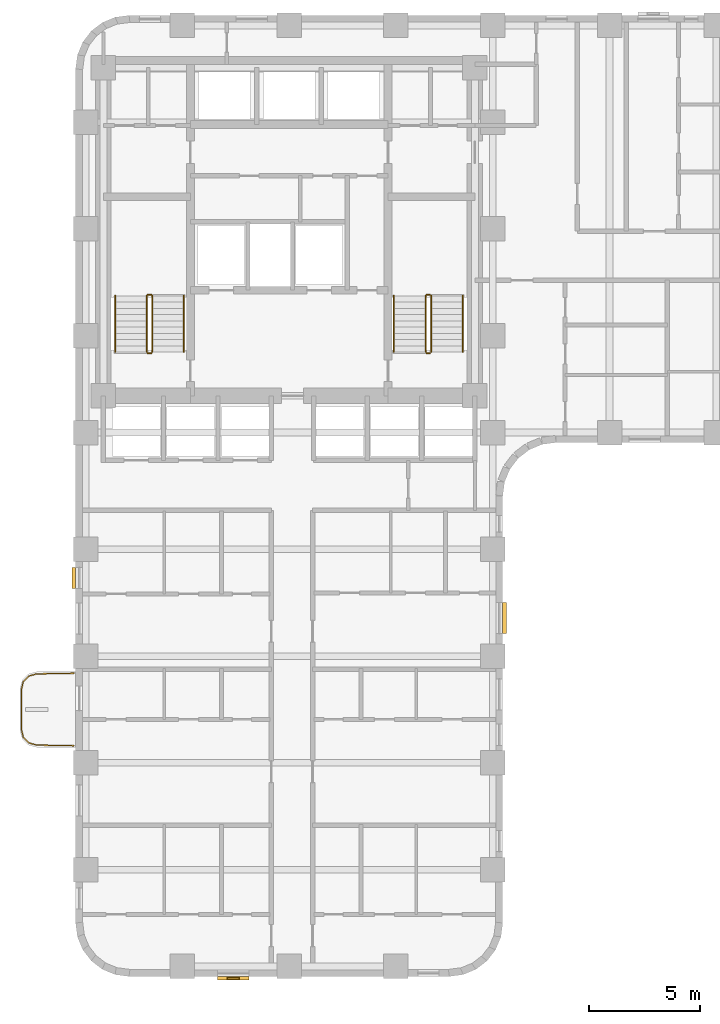
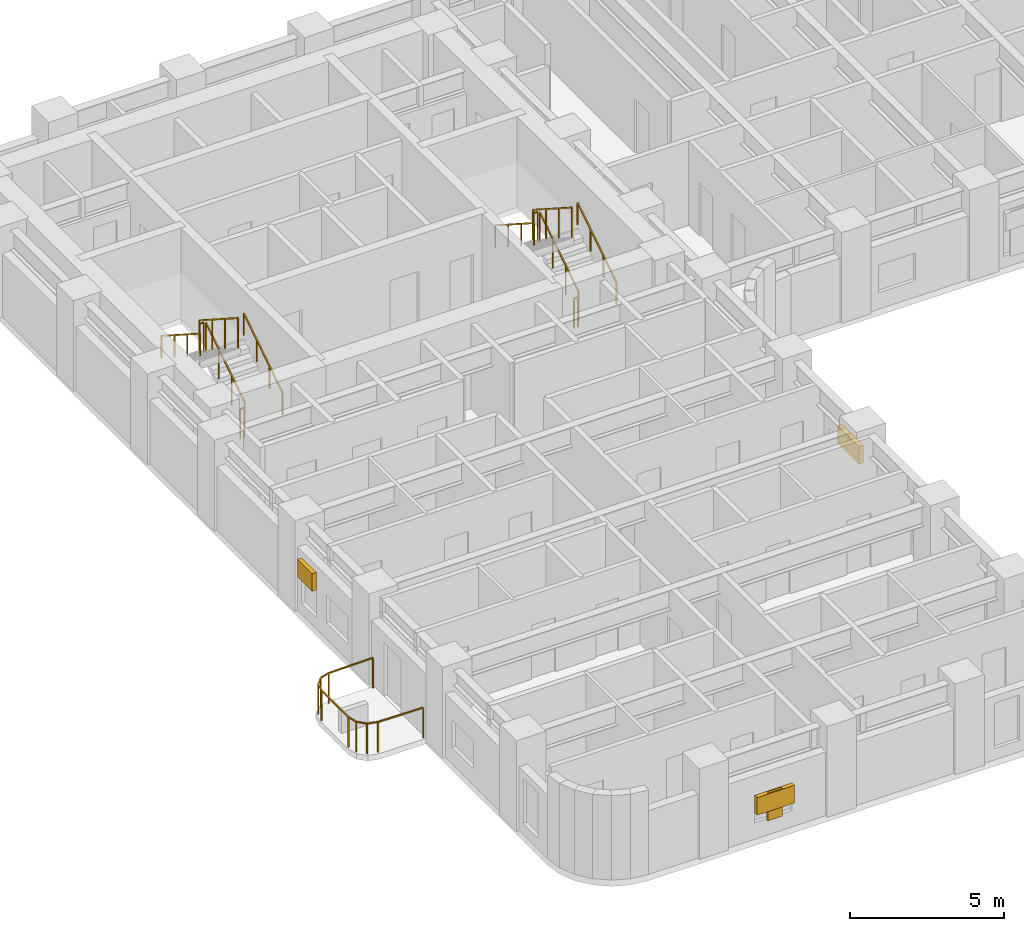
# One storey, part 9 of 10: 13 railings, 4 shading devices.
"""IFC4 building model written with IfcOpenShell, lengths in metres."""

from ifc_helpers import new_model, si_unit, direction, frame, origin, origin_2d, place, context, subcontext, project, spatial, rectangle, extrude, material, type_object, element, save


model = new_model("IFC4")

# Units and contexts
model_context = context("Model", 3, precision=1e-05, world=origin(), true_north=direction((0.0, 1.0)))
body_context = subcontext(model_context, "Body", "Model", "MODEL_VIEW")
ifc_project = project(units=[si_unit("LENGTHUNIT", "METRE"), si_unit("AREAUNIT", "SQUARE_METRE"), si_unit("VOLUMEUNIT", "CUBIC_METRE"), si_unit("PLANEANGLEUNIT", "RADIAN"), si_unit("MASSUNIT", "GRAM", prefix="KILO")], contexts=[model_context])

# Site, building, storey
site_placement = place(None, origin())
site = spatial("IfcSite", under=ifc_project, at=site_placement, CompositionType="ELEMENT")
building_placement = place(site_placement, origin())
building = spatial("IfcBuilding", under=site, at=building_placement, Name="Orvandelia Arch Residences", CompositionType="ELEMENT")
storey_placement = place(building_placement, frame((0.0, 0.0, 28.60009765625)))
storey = spatial("IfcBuildingStorey", under=building, at=storey_placement, Name="L06", CompositionType="ELEMENT", Elevation=28.60009765625)

# Railings
ifc_material_1 = material(Name="Marine-Grade Stainless Steel 316", Category="steel")
railing_type_1 = type_object("IfcRailingType", Name="GRD-BAL-1200", PredefinedType="BALUSTRADE", material=ifc_material_1)
railing_1_placement = place(storey_placement, frame((4.728271484375, 18.430419921875, 0.0)))
element("IfcRailing", 1, at=railing_1_placement, inside=storey, type_object=railing_type_1, Name="Safety Balustrade Guard GRD-L06-BAL-L06-W1-1", PredefinedType="BALUSTRADE", context=body_context, shape_type="SweptSolid", body=[
    extrude(rectangle(XDim=0.048095703125, YDim=0.048095703125, at=origin_2d()), frame((0.0, 0.0, 1.19580078125), z_axis=(-0.999834751713, -0.018178813668, 0.0), x_axis=(0.018178813668, -0.999834751713, 0.0)), (0.0, 0.0, 1.0), 1.6787109375),
    extrude(rectangle(XDim=0.048095703125, YDim=0.048095703125, at=origin_2d()), frame((-1.678466796875, -0.030517578125, 1.19580078125), z_axis=(-0.96348920644, -0.267747173792, 0.0), x_axis=(0.267747173792, -0.96348920644, 0.0)), (0.0, 0.0, 1.0), 0.36572265625),
    extrude(rectangle(XDim=0.048095703125, YDim=0.048095703125, at=origin_2d()), frame((-2.03076171875, -0.12841796875, 1.19580078125), z_axis=(-0.688627404251, -0.725115368831, 0.0), x_axis=(0.725115368831, -0.688627404251, 0.0)), (0.0, 0.0, 1.0), 0.367919921875),
    extrude(rectangle(XDim=0.048095703125, YDim=0.048095703125, at=origin_2d()), frame((-2.2841796875, -0.395263671875, 1.19580078125), z_axis=(-0.220602419982, -0.975363815352, 0.0), x_axis=(0.975363815352, -0.220602419982, 0.0)), (0.0, 0.0, 1.0), 0.373046875),
    extrude(rectangle(XDim=0.048095703125, YDim=0.048095703125, at=origin_2d()), frame((-2.366455078125, -0.759033203125, 1.19580078125), z_axis=(0.0, -1.0, 0.0), x_axis=(1.0, 0.0, 0.0)), (0.0, 0.0, 1.0), 1.74267578125),
    extrude(rectangle(XDim=0.048095703125, YDim=0.048095703125, at=origin_2d()), frame((-2.366455078125, -2.501708984375, 1.19580078125), z_axis=(0.220602419982, -0.975363815352, 0.0), x_axis=(0.975363815352, 0.220602419982, 0.0)), (0.0, 0.0, 1.0), 0.373046875),
    extrude(rectangle(XDim=0.048095703125, YDim=0.048095703125, at=origin_2d()), frame((-2.2841796875, -2.865478515625, 1.19580078125), z_axis=(0.688296224633, -0.725429739642, 0.0), x_axis=(0.725429739642, 0.688296224633, 0.0)), (0.0, 0.0, 1.0), 0.3681640625),
    extrude(rectangle(XDim=0.048095703125, YDim=0.048095703125, at=origin_2d()), frame((-2.03076171875, -3.132568359375, 1.19580078125), z_axis=(0.96348920644, -0.267747173792, 0.0), x_axis=(0.267747173792, 0.96348920644, 0.0)), (0.0, 0.0, 1.0), 0.36572265625),
    extrude(rectangle(XDim=0.048095703125, YDim=0.048095703125, at=origin_2d()), frame((-1.678466796875, -3.23046875, 1.19580078125), z_axis=(0.999837384468, -0.018033430643, 0.0), x_axis=(0.018033430643, 0.999837384468, 0.0)), (0.0, 0.0, 1.0), 1.6787109375),
    extrude(rectangle(XDim=0.0419921875, YDim=0.0419921875, at=origin_2d()), origin(), (0.0, 0.0, 1.0), 1.171875),
    extrude(rectangle(XDim=0.0419921875, YDim=0.0419921875, at=origin_2d()), frame((-1.678466796875, -0.030517578125, 0.0)), (0.0, 0.0, 1.0), 1.171875),
    extrude(rectangle(XDim=0.0419921875, YDim=0.0419921875, at=origin_2d()), frame((-2.03076171875, -0.12841796875, 0.0)), (0.0, 0.0, 1.0), 1.171875),
    extrude(rectangle(XDim=0.0419921875, YDim=0.0419921875, at=origin_2d()), frame((-2.2841796875, -0.395263671875, 0.0)), (0.0, 0.0, 1.0), 1.171875),
    extrude(rectangle(XDim=0.0419921875, YDim=0.0419921875, at=origin_2d()), frame((-2.366455078125, -0.759033203125, 0.0)), (0.0, 0.0, 1.0), 1.171875),
    extrude(rectangle(XDim=0.0419921875, YDim=0.0419921875, at=origin_2d()), frame((-2.366455078125, -2.501708984375, 0.0)), (0.0, 0.0, 1.0), 1.171875),
    extrude(rectangle(XDim=0.0419921875, YDim=0.0419921875, at=origin_2d()), frame((-2.2841796875, -2.865478515625, 0.0)), (0.0, 0.0, 1.0), 1.171875),
    extrude(rectangle(XDim=0.0419921875, YDim=0.0419921875, at=origin_2d()), frame((-2.03076171875, -3.132568359375, 0.0)), (0.0, 0.0, 1.0), 1.171875),
    extrude(rectangle(XDim=0.0419921875, YDim=0.0419921875, at=origin_2d()), frame((-1.678466796875, -3.23046875, 0.0)), (0.0, 0.0, 1.0), 1.171875),
    extrude(rectangle(XDim=0.0419921875, YDim=0.0419921875, at=origin_2d()), frame((0.0, -3.2607421875, 0.0)), (0.0, 0.0, 1.0), 1.171875),
])
ifc_material_2 = material(Name="Brushed Stainless Steel 304", Category="steel")
railing_type_2 = type_object("IfcRailingType", Name="RL-STAIR-GD1120", PredefinedType="GUARDRAIL", material=ifc_material_2)
railing_2_placement = place(storey_placement, frame((8.25, 32.8701171875, 0.179931640625)))
element("IfcRailing", 2, at=railing_2_placement, inside=storey, type_object=railing_type_2, Name="L06 ST-1 stair guard 1", PredefinedType="GUARDRAIL", context=body_context, shape_type="SweptSolid", body=[
    extrude(rectangle(XDim=0.048095703125, YDim=0.048095703125, at=origin_2d()), frame((0.0, 0.0, 1.17578125), z_axis=(0.0, 0.841175827307, 0.540761710511), x_axis=(-1.0, 0.0, 0.0)), (0.0, 0.0, 1.0), 2.99560546875),
    extrude(rectangle(XDim=0.0419921875, YDim=0.0419921875, at=origin_2d()), origin(), (0.0, 0.0, 1.0), 1.15185546875),
    extrude(rectangle(XDim=0.0419921875, YDim=0.0419921875, at=origin_2d()), frame((0.0, 0.83984375, 0.5400390625)), (0.0, 0.0, 1.0), 1.15185546875),
    extrude(rectangle(XDim=0.0419921875, YDim=0.0419921875, at=origin_2d()), frame((0.0, 1.679931640625, 1.079833984375)), (0.0, 0.0, 1.0), 1.15185546875),
    extrude(rectangle(XDim=0.0419921875, YDim=0.0419921875, at=origin_2d()), frame((0.0, 2.519775390625, 1.619873046875)), (0.0, 0.0, 1.0), 1.15185546875),
])
railing_3_placement = place(storey_placement, frame((8.199951171875, 35.43994140625, 1.7998046875)))
element("IfcRailing", 3, at=railing_3_placement, inside=storey, type_object=railing_type_2, Name="L06 ST-1 stair guard 2", PredefinedType="GUARDRAIL", context=body_context, shape_type="SweptSolid", body=[
    extrude(rectangle(XDim=0.048095703125, YDim=0.048095703125, at=origin_2d()), frame((0.0, 0.0, 1.17578125), z_axis=(-1.0, 0.0, 0.0), x_axis=(0.0, -1.0, 0.0)), (0.0, 0.0, 1.0), 0.14990234375),
    extrude(rectangle(XDim=0.0419921875, YDim=0.0419921875, at=origin_2d()), origin(), (0.0, 0.0, 1.0), 1.15185546875),
    extrude(rectangle(XDim=0.0419921875, YDim=0.0419921875, at=origin_2d()), frame((-0.14990234375, 0.0, 0.0)), (0.0, 0.0, 1.0), 1.15185546875),
])
railing_4_placement = place(storey_placement, frame((8.0, 35.389892578125, 1.97998046875)))
element("IfcRailing", 4, at=railing_4_placement, inside=storey, type_object=railing_type_2, Name="L06 ST-1 stair guard 3", PredefinedType="GUARDRAIL", context=body_context, shape_type="SweptSolid", body=[
    extrude(rectangle(XDim=0.048095703125, YDim=0.048095703125, at=origin_2d()), frame((0.0, 0.0, 1.17578125), z_axis=(0.0, -0.841175827307, 0.540761710511), x_axis=(1.0, 0.0, 0.0)), (0.0, 0.0, 1.0), 2.99560546875),
    extrude(rectangle(XDim=0.0419921875, YDim=0.0419921875, at=origin_2d()), origin(), (0.0, 0.0, 1.0), 1.15185546875),
    extrude(rectangle(XDim=0.0419921875, YDim=0.0419921875, at=origin_2d()), frame((0.0, -0.83984375, 0.5400390625)), (0.0, 0.0, 1.0), 1.15185546875),
    extrude(rectangle(XDim=0.0419921875, YDim=0.0419921875, at=origin_2d()), frame((0.0, -1.679931640625, 1.079833984375)), (0.0, 0.0, 1.0), 1.15185546875),
    extrude(rectangle(XDim=0.0419921875, YDim=0.0419921875, at=origin_2d()), frame((0.0, -2.519775390625, 1.619873046875)), (0.0, 0.0, 1.0), 1.15185546875),
])
railing_5_placement = place(storey_placement, frame((8.199951171875, 32.820068359375, 0.0)))
element("IfcRailing", 5, at=railing_5_placement, inside=storey, type_object=railing_type_2, Name="L06 ST-1 stair guard 4", PredefinedType="GUARDRAIL", context=body_context, shape_type="SweptSolid", body=[
    extrude(rectangle(XDim=0.048095703125, YDim=0.048095703125, at=origin_2d()), frame((0.0, 0.0, 1.17578125), z_axis=(-1.0, 0.0, 0.0), x_axis=(0.0, -1.0, 0.0)), (0.0, 0.0, 1.0), 0.14990234375),
    extrude(rectangle(XDim=0.0419921875, YDim=0.0419921875, at=origin_2d()), origin(), (0.0, 0.0, 1.0), 1.15185546875),
    extrude(rectangle(XDim=0.0419921875, YDim=0.0419921875, at=origin_2d()), frame((-0.14990234375, 0.0, 0.0)), (0.0, 0.0, 1.0), 1.15185546875),
])
railing_6_placement = place(storey_placement, frame((20.780029296875, 32.8701171875, 0.179931640625)))
element("IfcRailing", 6, at=railing_6_placement, inside=storey, type_object=railing_type_2, Name="L06 ST-2 stair guard 1", PredefinedType="GUARDRAIL", context=body_context, shape_type="SweptSolid", body=[
    extrude(rectangle(XDim=0.048095703125, YDim=0.048095703125, at=origin_2d()), frame((0.0, 0.0, 1.17578125), z_axis=(0.0, 0.841175827307, 0.540761710511), x_axis=(-1.0, 0.0, 0.0)), (0.0, 0.0, 1.0), 2.99560546875),
    extrude(rectangle(XDim=0.0419921875, YDim=0.0419921875, at=origin_2d()), origin(), (0.0, 0.0, 1.0), 1.15185546875),
    extrude(rectangle(XDim=0.0419921875, YDim=0.0419921875, at=origin_2d()), frame((0.0, 0.83984375, 0.5400390625)), (0.0, 0.0, 1.0), 1.15185546875),
    extrude(rectangle(XDim=0.0419921875, YDim=0.0419921875, at=origin_2d()), frame((0.0, 1.679931640625, 1.079833984375)), (0.0, 0.0, 1.0), 1.15185546875),
    extrude(rectangle(XDim=0.0419921875, YDim=0.0419921875, at=origin_2d()), frame((0.0, 2.519775390625, 1.619873046875)), (0.0, 0.0, 1.0), 1.15185546875),
])
railing_7_placement = place(storey_placement, frame((20.72998046875, 35.43994140625, 1.7998046875)))
element("IfcRailing", 7, at=railing_7_placement, inside=storey, type_object=railing_type_2, Name="L06 ST-2 stair guard 2", PredefinedType="GUARDRAIL", context=body_context, shape_type="SweptSolid", body=[
    extrude(rectangle(XDim=0.048095703125, YDim=0.048095703125, at=origin_2d()), frame((0.0, 0.0, 1.17578125), z_axis=(-1.0, 0.0, 0.0), x_axis=(0.0, -1.0, 0.0)), (0.0, 0.0, 1.0), 0.14990234375),
    extrude(rectangle(XDim=0.0419921875, YDim=0.0419921875, at=origin_2d()), origin(), (0.0, 0.0, 1.0), 1.15185546875),
    extrude(rectangle(XDim=0.0419921875, YDim=0.0419921875, at=origin_2d()), frame((-0.14990234375, 0.0, 0.0)), (0.0, 0.0, 1.0), 1.15185546875),
])
railing_8_placement = place(storey_placement, frame((20.530029296875, 35.389892578125, 1.97998046875)))
element("IfcRailing", 8, at=railing_8_placement, inside=storey, type_object=railing_type_2, Name="L06 ST-2 stair guard 3", PredefinedType="GUARDRAIL", context=body_context, shape_type="SweptSolid", body=[
    extrude(rectangle(XDim=0.048095703125, YDim=0.048095703125, at=origin_2d()), frame((0.0, 0.0, 1.17578125), z_axis=(0.0, -0.841175827307, 0.540761710511), x_axis=(1.0, 0.0, 0.0)), (0.0, 0.0, 1.0), 2.99560546875),
    extrude(rectangle(XDim=0.0419921875, YDim=0.0419921875, at=origin_2d()), origin(), (0.0, 0.0, 1.0), 1.15185546875),
    extrude(rectangle(XDim=0.0419921875, YDim=0.0419921875, at=origin_2d()), frame((0.0, -0.83984375, 0.5400390625)), (0.0, 0.0, 1.0), 1.15185546875),
    extrude(rectangle(XDim=0.0419921875, YDim=0.0419921875, at=origin_2d()), frame((0.0, -1.679931640625, 1.079833984375)), (0.0, 0.0, 1.0), 1.15185546875),
    extrude(rectangle(XDim=0.0419921875, YDim=0.0419921875, at=origin_2d()), frame((0.0, -2.519775390625, 1.619873046875)), (0.0, 0.0, 1.0), 1.15185546875),
])
railing_9_placement = place(storey_placement, frame((20.72998046875, 32.820068359375, 0.0)))
element("IfcRailing", 9, at=railing_9_placement, inside=storey, type_object=railing_type_2, Name="L06 ST-2 stair guard 4", PredefinedType="GUARDRAIL", context=body_context, shape_type="SweptSolid", body=[
    extrude(rectangle(XDim=0.048095703125, YDim=0.048095703125, at=origin_2d()), frame((0.0, 0.0, 1.17578125), z_axis=(-1.0, 0.0, 0.0), x_axis=(0.0, -1.0, 0.0)), (0.0, 0.0, 1.0), 0.14990234375),
    extrude(rectangle(XDim=0.0419921875, YDim=0.0419921875, at=origin_2d()), origin(), (0.0, 0.0, 1.0), 1.15185546875),
    extrude(rectangle(XDim=0.0419921875, YDim=0.0419921875, at=origin_2d()), frame((-0.14990234375, 0.0, 0.0)), (0.0, 0.0, 1.0), 1.15185546875),
])
railing_type_3 = type_object("IfcRailingType", Name="RL-STAIR-HR920", PredefinedType="HANDRAIL", material=ifc_material_2)
railing_10_placement = place(storey_placement, frame((9.669921875, 32.8701171875, 0.35986328125)))
element("IfcRailing", 10, at=railing_10_placement, inside=storey, type_object=railing_type_3, Name="L06 ST-1 stair handrail 1", PredefinedType="HANDRAIL", context=body_context, shape_type="SweptSolid", body=[
    extrude(rectangle(XDim=0.048095703125, YDim=0.048095703125, at=origin_2d()), frame((0.0, 0.0, 0.8759765625), z_axis=(0.0, 0.841138753965, 0.540819375188), x_axis=(-1.0, 0.0, 0.0)), (0.0, 0.0, 1.0), 2.99560546875),
    extrude(rectangle(XDim=0.0419921875, YDim=0.0419921875, at=origin_2d()), origin(), (0.0, 0.0, 1.0), 0.851806640625),
    extrude(rectangle(XDim=0.0419921875, YDim=0.0419921875, at=origin_2d()), frame((0.0, 0.83984375, 0.5400390625)), (0.0, 0.0, 1.0), 0.851806640625),
    extrude(rectangle(XDim=0.0419921875, YDim=0.0419921875, at=origin_2d()), frame((0.0, 1.679931640625, 1.080078125)), (0.0, 0.0, 1.0), 0.851806640625),
    extrude(rectangle(XDim=0.0419921875, YDim=0.0419921875, at=origin_2d()), frame((0.0, 2.519775390625, 1.6201171875)), (0.0, 0.0, 1.0), 0.851806640625),
])
railing_11_placement = place(storey_placement, frame((6.580078125, 35.389892578125, 2.159912109375)))
element("IfcRailing", 11, at=railing_11_placement, inside=storey, type_object=railing_type_3, Name="L06 ST-1 stair handrail 2", PredefinedType="HANDRAIL", context=body_context, shape_type="SweptSolid", body=[
    extrude(rectangle(XDim=0.048095703125, YDim=0.048095703125, at=origin_2d()), frame((0.0, 0.0, 0.8759765625), z_axis=(0.0, -0.841175827307, 0.540761710511), x_axis=(1.0, 0.0, 0.0)), (0.0, 0.0, 1.0), 2.99560546875),
    extrude(rectangle(XDim=0.0419921875, YDim=0.0419921875, at=origin_2d()), origin(), (0.0, 0.0, 1.0), 0.851806640625),
    extrude(rectangle(XDim=0.0419921875, YDim=0.0419921875, at=origin_2d()), frame((0.0, -0.83984375, 0.5400390625)), (0.0, 0.0, 1.0), 0.851806640625),
    extrude(rectangle(XDim=0.0419921875, YDim=0.0419921875, at=origin_2d()), frame((0.0, -1.679931640625, 1.079833984375)), (0.0, 0.0, 1.0), 0.851806640625),
    extrude(rectangle(XDim=0.0419921875, YDim=0.0419921875, at=origin_2d()), frame((0.0, -2.519775390625, 1.619873046875)), (0.0, 0.0, 1.0), 0.851806640625),
])
railing_12_placement = place(storey_placement, frame((22.199951171875, 32.8701171875, 0.35986328125)))
element("IfcRailing", 12, at=railing_12_placement, inside=storey, type_object=railing_type_3, Name="L06 ST-2 stair handrail 1", PredefinedType="HANDRAIL", context=body_context, shape_type="SweptSolid", body=[
    extrude(rectangle(XDim=0.048095703125, YDim=0.048095703125, at=origin_2d()), frame((0.0, 0.0, 0.8759765625), z_axis=(0.0, 0.841138753965, 0.540819375188), x_axis=(-1.0, 0.0, 0.0)), (0.0, 0.0, 1.0), 2.99560546875),
    extrude(rectangle(XDim=0.0419921875, YDim=0.0419921875, at=origin_2d()), origin(), (0.0, 0.0, 1.0), 0.851806640625),
    extrude(rectangle(XDim=0.0419921875, YDim=0.0419921875, at=origin_2d()), frame((0.0, 0.83984375, 0.5400390625)), (0.0, 0.0, 1.0), 0.851806640625),
    extrude(rectangle(XDim=0.0419921875, YDim=0.0419921875, at=origin_2d()), frame((0.0, 1.679931640625, 1.080078125)), (0.0, 0.0, 1.0), 0.851806640625),
    extrude(rectangle(XDim=0.0419921875, YDim=0.0419921875, at=origin_2d()), frame((0.0, 2.519775390625, 1.6201171875)), (0.0, 0.0, 1.0), 0.851806640625),
])
railing_13_placement = place(storey_placement, frame((19.110107421875, 35.389892578125, 2.159912109375)))
element("IfcRailing", 13, at=railing_13_placement, inside=storey, type_object=railing_type_3, Name="L06 ST-2 stair handrail 2", PredefinedType="HANDRAIL", context=body_context, shape_type="SweptSolid", body=[
    extrude(rectangle(XDim=0.048095703125, YDim=0.048095703125, at=origin_2d()), frame((0.0, 0.0, 0.8759765625), z_axis=(0.0, -0.841175827307, 0.540761710511), x_axis=(1.0, 0.0, 0.0)), (0.0, 0.0, 1.0), 2.99560546875),
    extrude(rectangle(XDim=0.0419921875, YDim=0.0419921875, at=origin_2d()), origin(), (0.0, 0.0, 1.0), 0.851806640625),
    extrude(rectangle(XDim=0.0419921875, YDim=0.0419921875, at=origin_2d()), frame((0.0, -0.83984375, 0.5400390625)), (0.0, 0.0, 1.0), 0.851806640625),
    extrude(rectangle(XDim=0.0419921875, YDim=0.0419921875, at=origin_2d()), frame((0.0, -1.679931640625, 1.079833984375)), (0.0, 0.0, 1.0), 0.851806640625),
    extrude(rectangle(XDim=0.0419921875, YDim=0.0419921875, at=origin_2d()), frame((0.0, -2.519775390625, 1.619873046875)), (0.0, 0.0, 1.0), 0.851806640625),
])

# Shading devices
ifc_material_3 = material(Name="Anodised Champagne-Bronze Extruded Aluminium", Category="aluminium")
shading_device_type_1 = type_object("IfcShadingDeviceType", Name="SHD-JALOUSIE-SCREEN", PredefinedType="JALOUSIE", material=ifc_material_3)
for number, where, z_axis, x_axis, name in (
    (14, (24.080078125, 20.905029296875, 1.0498046875), (0.0, 0.0, 1.0), (0.0, -1.0, 0.0), "Bronze Jalousie Sun-Shade L06-008"),
    (15, (11.885009765625, 4.719970703125, 1.0498046875), (0.0, 0.0, 1.0), (-1.0, 0.0, 0.0), "Bronze Jalousie Sun-Shade L06-009"),
):
    element("IfcShadingDevice", number, at=place(storey_placement, frame(where, z_axis=z_axis, x_axis=x_axis)), inside=storey, type_object=shading_device_type_1, Name=name, PredefinedType="JALOUSIE", context=body_context, shape_type="SweptSolid", body=[
        extrude(rectangle(XDim=1.39990234375, YDim=0.159912109375, at=origin_2d()), origin(), (0.0, 0.0, 1.0), 0.699951171875),
    ])
shading_device_1_placement = place(storey_placement, frame((4.719970703125, 22.715087890625, 1.5498046875), z_axis=(0.0, 0.0, 1.0), x_axis=(0.0, 1.0, 0.0)))
element("IfcShadingDevice", 16, at=shading_device_1_placement, inside=storey, type_object=shading_device_type_1, Name="Bronze Jalousie Sun-Shade L06-010", PredefinedType="JALOUSIE", context=body_context, shape_type="SweptSolid", body=[
    extrude(rectangle(XDim=0.949951171875, YDim=0.159912109375, at=origin_2d()), origin(), (0.0, 0.0, 1.0), 0.699951171875),
])
ifc_material_4 = material(Name="Marine-Grade Perforated Aluminium Storm Shutter", Category="aluminium")
shading_device_type_2 = type_object("IfcShadingDeviceType", Name="SHD-STORM-SHUTTER", PredefinedType="SHUTTER", material=ifc_material_4)
shading_device_2_placement = place(storey_placement, frame((11.885009765625, 4.719970703125, 0.64990234375), z_axis=(0.0, 0.0, 1.0), x_axis=(-1.0, 0.0, 0.0)))
element("IfcShadingDevice", 17, at=shading_device_2_placement, inside=storey, type_object=shading_device_type_2, Name="Operable Typhoon Storm Shutter L06-009", PredefinedType="SHUTTER", context=body_context, shape_type="SweptSolid", body=[
    extrude(rectangle(XDim=0.550048828125, YDim=0.080078125, at=origin_2d()), origin(), (0.0, 0.0, 1.0), 1.10009765625),
])

save(model, "model.ifc")
